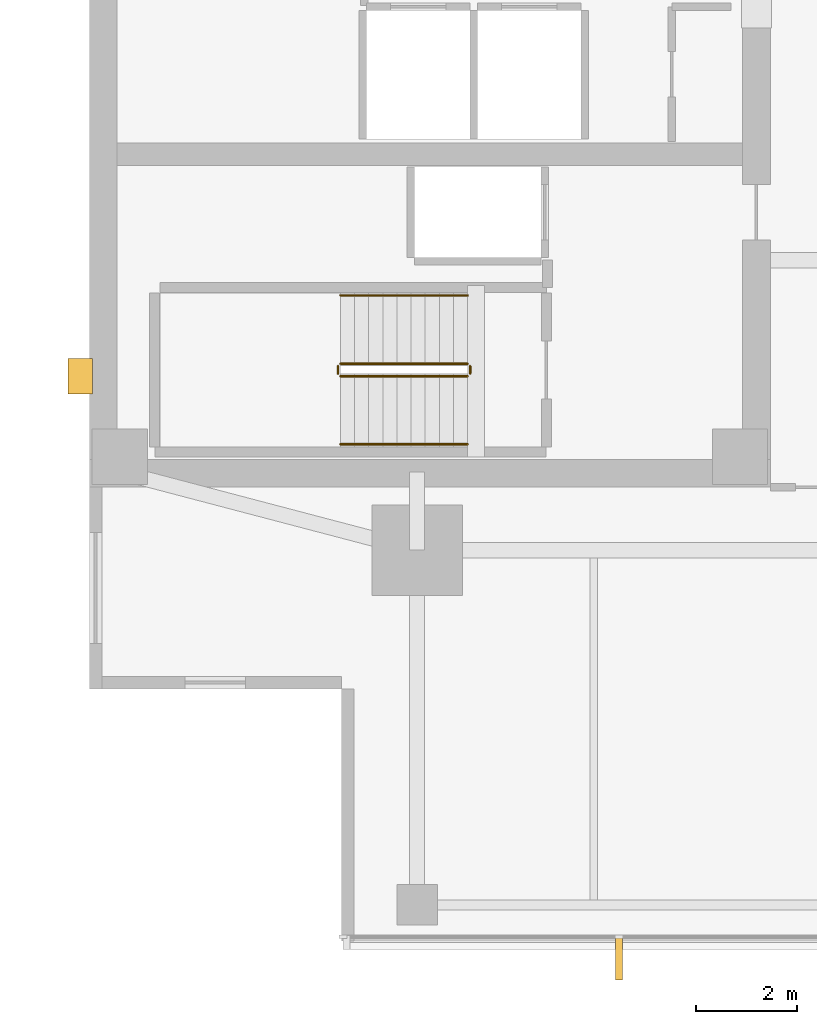
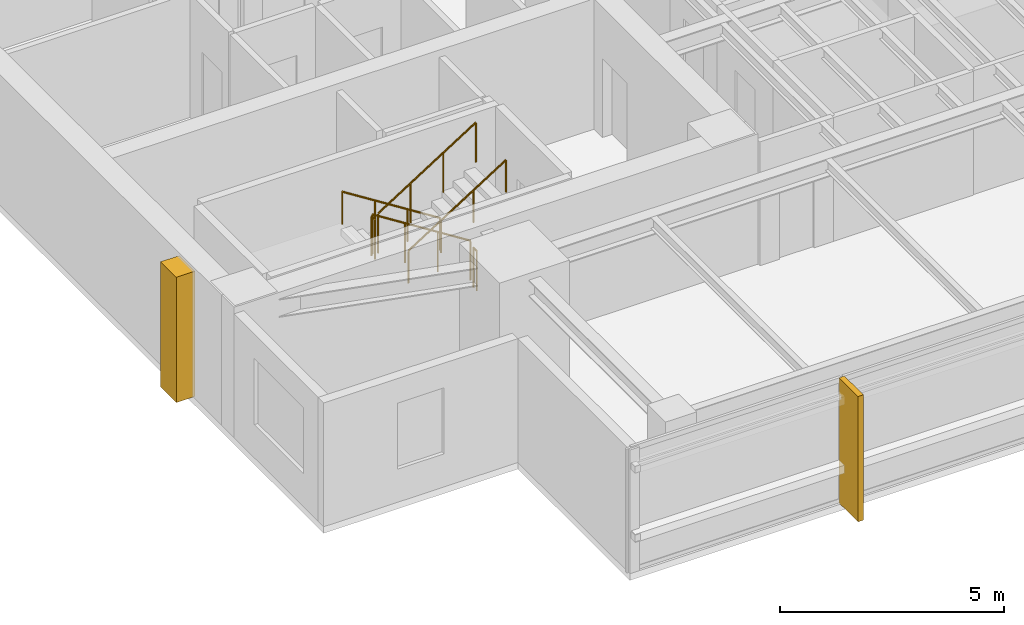
# One storey, part 11 of 14: 6 railings, 2 coverings.
"""IFC4 building model written with IfcOpenShell, lengths in metres."""

from ifc_helpers import new_model, si_unit, direction, frame, origin, origin_2d, place, context, subcontext, project, spatial, polyline, circle, outline, extrude, material, layer, layer_set, type_object, element, save


model = new_model("IFC4")

# Units and contexts
model_context = context("Model", 3, precision=1e-05, world=origin(), true_north=direction((0.0, 1.0)))
body_context = subcontext(model_context, "Body", "Model", "MODEL_VIEW")
ifc_project = project(units=[si_unit("LENGTHUNIT", "METRE"), si_unit("AREAUNIT", "SQUARE_METRE"), si_unit("VOLUMEUNIT", "CUBIC_METRE"), si_unit("PLANEANGLEUNIT", "RADIAN"), si_unit("MASSUNIT", "GRAM", prefix="KILO")], contexts=[model_context])

# Site, building, storey
site_placement = place(None, origin())
site = spatial("IfcSite", under=ifc_project, at=site_placement, CompositionType="ELEMENT")
building_placement = place(site_placement, origin())
building = spatial("IfcBuilding", under=site, at=building_placement, Name="Kinhvarn Gate Tower", CompositionType="ELEMENT")
storey_placement = place(building_placement, frame((0.0, 0.0, 234.199951171875)))
storey = spatial("IfcBuildingStorey", under=building, at=storey_placement, Name="L62", CompositionType="ELEMENT", Elevation=234.199951171875)

# Coverings
ifc_material_1 = material(Name="Fired architectural terracotta", Category="masonry")
ifc_layer_1 = layer(ifc_material_1, 0.139892578125)
ifc_layer_set_1 = layer_set([ifc_layer_1], Name="Fired architectural terracotta")
covering_type_1 = type_object("IfcCoveringType", Name="COV-FIN-850", PredefinedType="CLADDING", material=ifc_layer_set_1)
covering_1_placement = place(storey_placement, frame((0.0, 0.0, -0.02001953125)))
element("IfcCovering", 1, at=covering_1_placement, inside=storey, type_object=covering_type_1, Name="Vertical Terracotta Expressive Fin TFN-850 (L62)", PredefinedType="CLADDING", context=body_context, shape_type="SweptSolid", body=[
    extrude(outline(polyline([(14.929931640625, 5.080078125), (15.070068359375, 5.080078125), (15.070068359375, 4.22998046875), (14.929931640625, 4.22998046875), (14.929931640625, 5.080078125)])), origin(), (0.0, 0.0, 1.0), 3.41015625),
])
ifc_material_2 = material(Name="Precast white architectural concrete C40/50", Category="concrete")
ifc_layer_2 = layer(ifc_material_2, 0.47998046875)
ifc_layer_set_2 = layer_set([ifc_layer_2], Name="Precast white architectural concrete C40/50")
covering_type_2 = type_object("IfcCoveringType", Name="COV-RIB-450", PredefinedType="CLADDING", material=ifc_layer_set_2)
covering_2_placement = place(storey_placement, frame((0.0, 0.0, -0.02001953125)))
element("IfcCovering", 2, at=covering_2_placement, inside=storey, type_object=covering_type_2, Name="West Core Sculptural Concrete Relief Rib CRB-450 (L62)", PredefinedType="CLADDING", context=body_context, shape_type="SweptSolid", body=[
    extrude(outline(polyline([(4.080078125, 15.85009765625), (4.56005859375, 15.85009765625), (4.56005859375, 16.550048828125), (4.080078125, 16.550048828125), (4.080078125, 15.85009765625)])), origin(), (0.0, 0.0, 1.0), 3.41015625),
])

# Railings
ifc_material_3 = material(Name="Steel S355", Category="steel")
railing_type_1 = type_object("IfcRailingType", Name="RL-ST-GRD", PredefinedType="BALUSTRADE", material=ifc_material_3)
railing_1_placement = place(storey_placement, frame((12.0, 16.449951171875, 0.177490234375)))
element("IfcRailing", 3, at=railing_1_placement, inside=storey, type_object=railing_type_1, Name="L62 ST1 stair guard 1", PredefinedType="BALUSTRADE", context=body_context, shape_type="SweptSolid", body=[
    extrude(circle(Radius=0.02392578125, at=origin_2d()), frame((0.0, 0.0, 1.076171875), z_axis=(-0.84456994832, 0.0, 0.535445237532), x_axis=(0.0, -1.0, 0.0)), (0.0, 0.0, 1.0), 2.98388671875),
    extrude(circle(Radius=0.02099609375, at=origin_2d()), origin(), (0.0, 0.0, 1.0), 1.052001953125),
    extrude(circle(Radius=0.02099609375, at=origin_2d()), frame((-0.840087890625, 0.0, 0.532470703125)), (0.0, 0.0, 1.0), 1.052001953125),
    extrude(circle(Radius=0.02099609375, at=origin_2d()), frame((-1.679931640625, 0.0, 1.065185546875)), (0.0, 0.0, 1.0), 1.052001953125),
    extrude(circle(Radius=0.02099609375, at=origin_2d()), frame((-2.52001953125, 0.0, 1.59765625)), (0.0, 0.0, 1.0), 1.052001953125),
])
railing_2_placement = place(storey_placement, frame((9.429931640625, 16.39990234375, 1.775146484375)))
element("IfcRailing", 4, at=railing_2_placement, inside=storey, type_object=railing_type_1, Name="L62 ST1 stair guard 2", PredefinedType="BALUSTRADE", context=body_context, shape_type="SweptSolid", body=[
    extrude(circle(Radius=0.02392578125, at=origin_2d()), frame((0.0, 0.0, 1.076171875), z_axis=(0.0, -1.0, 0.0), x_axis=(1.0, 0.0, 0.0)), (0.0, 0.0, 1.0), 0.14990234375),
    extrude(circle(Radius=0.02099609375, at=origin_2d()), origin(), (0.0, 0.0, 1.0), 1.052001953125),
    extrude(circle(Radius=0.02099609375, at=origin_2d()), frame((0.0, -0.14990234375, 0.0)), (0.0, 0.0, 1.0), 1.052001953125),
])
railing_3_placement = place(storey_placement, frame((9.47998046875, 16.199951171875, 1.95263671875)))
element("IfcRailing", 5, at=railing_3_placement, inside=storey, type_object=railing_type_1, Name="L62 ST1 stair guard 3", PredefinedType="BALUSTRADE", context=body_context, shape_type="SweptSolid", body=[
    extrude(circle(Radius=0.02392578125, at=origin_2d()), frame((0.0, 0.0, 1.076171875), z_axis=(0.84460694969, 0.0, 0.535386869969), x_axis=(0.0, 1.0, 0.0)), (0.0, 0.0, 1.0), 2.983642578125),
    extrude(circle(Radius=0.02099609375, at=origin_2d()), origin(), (0.0, 0.0, 1.0), 1.052001953125),
    extrude(circle(Radius=0.02099609375, at=origin_2d()), frame((0.840087890625, 0.0, 0.532470703125)), (0.0, 0.0, 1.0), 1.052001953125),
    extrude(circle(Radius=0.02099609375, at=origin_2d()), frame((1.679931640625, 0.0, 1.06494140625)), (0.0, 0.0, 1.0), 1.052001953125),
    extrude(circle(Radius=0.02099609375, at=origin_2d()), frame((2.52001953125, 0.0, 1.597412109375)), (0.0, 0.0, 1.0), 1.052001953125),
])
railing_4_placement = place(storey_placement, frame((12.050048828125, 16.39990234375, 0.0)))
element("IfcRailing", 6, at=railing_4_placement, inside=storey, type_object=railing_type_1, Name="L62 ST1 stair guard 4", PredefinedType="BALUSTRADE", context=body_context, shape_type="SweptSolid", body=[
    extrude(circle(Radius=0.02392578125, at=origin_2d()), frame((0.0, 0.0, 1.076171875), z_axis=(0.0, -1.0, 0.0), x_axis=(1.0, 0.0, 0.0)), (0.0, 0.0, 1.0), 0.14990234375),
    extrude(circle(Radius=0.02099609375, at=origin_2d()), origin(), (0.0, 0.0, 1.0), 1.052001953125),
    extrude(circle(Radius=0.02099609375, at=origin_2d()), frame((0.0, -0.14990234375, 0.0)), (0.0, 0.0, 1.0), 1.052001953125),
])
railing_type_2 = type_object("IfcRailingType", Name="RL-ST-HND", PredefinedType="HANDRAIL", material=ifc_material_3)
railing_5_placement = place(storey_placement, frame((12.0, 17.800048828125, 0.177490234375)))
element("IfcRailing", 7, at=railing_5_placement, inside=storey, type_object=railing_type_2, Name="L62 ST1 stair handrail 1", PredefinedType="HANDRAIL", context=body_context, shape_type="SweptSolid", body=[
    extrude(circle(Radius=0.02392578125, at=origin_2d()), frame((0.0, 0.0, 0.8759765625), z_axis=(-0.84456994832, 0.0, 0.535445237532), x_axis=(0.0, -1.0, 0.0)), (0.0, 0.0, 1.0), 2.98388671875),
    extrude(circle(Radius=0.02099609375, at=origin_2d()), origin(), (0.0, 0.0, 1.0), 0.851806640625),
    extrude(circle(Radius=0.02099609375, at=origin_2d()), frame((-0.840087890625, 0.0, 0.532470703125)), (0.0, 0.0, 1.0), 0.851806640625),
    extrude(circle(Radius=0.02099609375, at=origin_2d()), frame((-1.679931640625, 0.0, 1.065185546875)), (0.0, 0.0, 1.0), 0.851806640625),
    extrude(circle(Radius=0.02099609375, at=origin_2d()), frame((-2.52001953125, 0.0, 1.59765625)), (0.0, 0.0, 1.0), 0.851806640625),
])
railing_6_placement = place(storey_placement, frame((9.47998046875, 14.85009765625, 1.95263671875)))
element("IfcRailing", 8, at=railing_6_placement, inside=storey, type_object=railing_type_2, Name="L62 ST1 stair handrail 2", PredefinedType="HANDRAIL", context=body_context, shape_type="SweptSolid", body=[
    extrude(circle(Radius=0.02392578125, at=origin_2d()), frame((0.0, 0.0, 0.8759765625), z_axis=(0.84460694969, 0.0, 0.535386869969), x_axis=(0.0, 1.0, 0.0)), (0.0, 0.0, 1.0), 2.983642578125),
    extrude(circle(Radius=0.02099609375, at=origin_2d()), origin(), (0.0, 0.0, 1.0), 0.851806640625),
    extrude(circle(Radius=0.02099609375, at=origin_2d()), frame((0.840087890625, 0.0, 0.532470703125)), (0.0, 0.0, 1.0), 0.851806640625),
    extrude(circle(Radius=0.02099609375, at=origin_2d()), frame((1.679931640625, 0.0, 1.06494140625)), (0.0, 0.0, 1.0), 0.851806640625),
    extrude(circle(Radius=0.02099609375, at=origin_2d()), frame((2.52001953125, 0.0, 1.597412109375)), (0.0, 0.0, 1.0), 0.851806640625),
])

save(model, "model.ifc")
